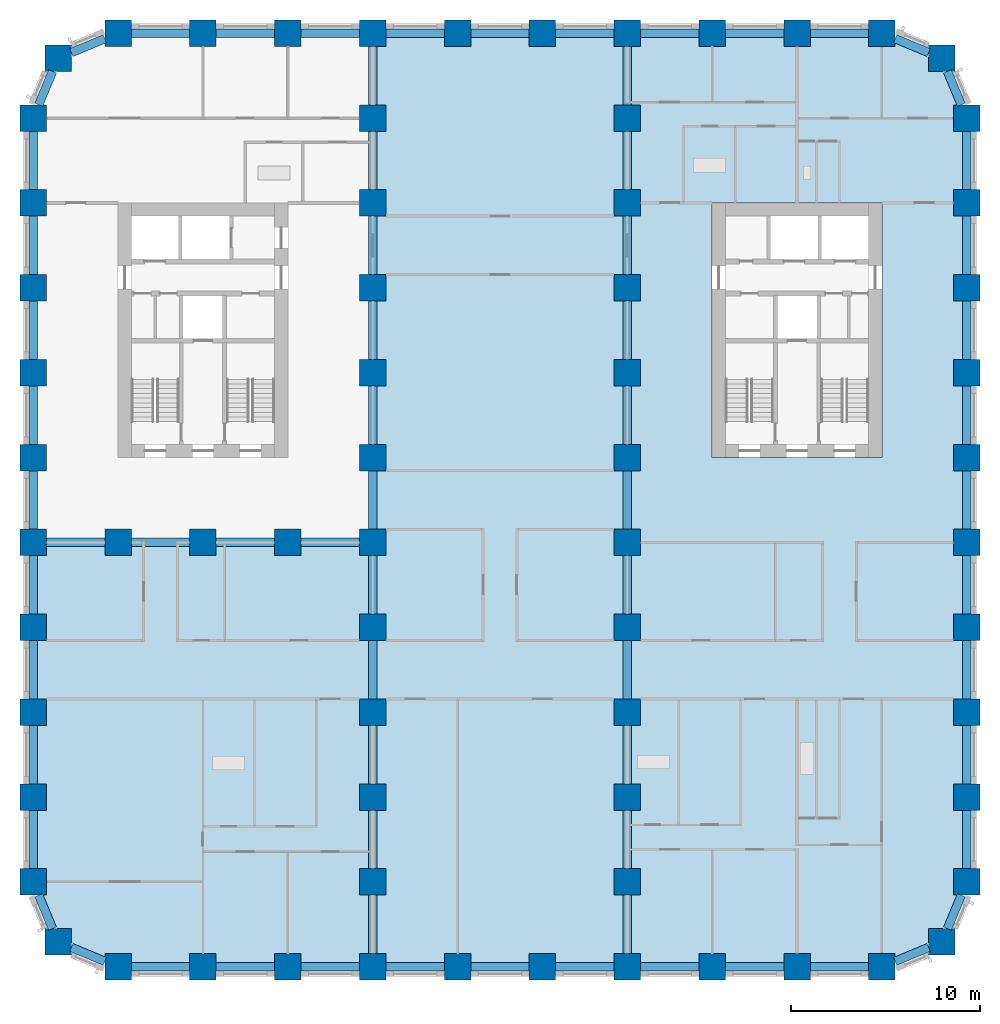
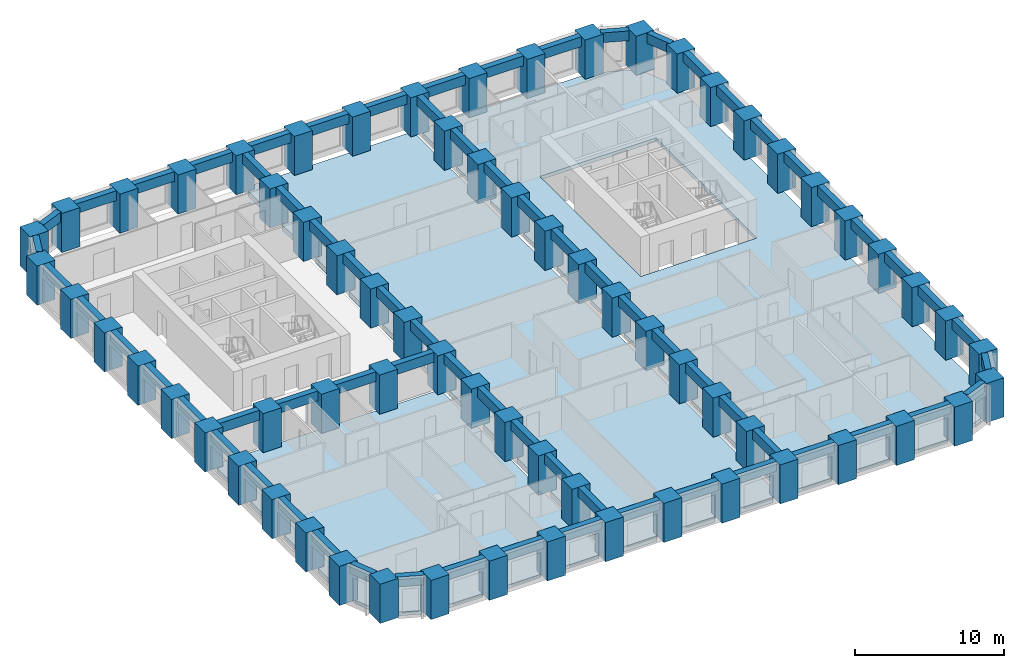
# One storey, part 1 of 12: 70 beams, 67 columns, 3 slabs.
"""IFC4 building model written with IfcOpenShell, lengths in metres."""

from ifc_helpers import new_model, si_unit, direction, frame, origin, origin_2d, place, context, subcontext, project, spatial, polyline, rectangle, outline, extrude, material, layer, layer_set, material_profile, profile_set, type_object, element, save


model = new_model("IFC4")

# Units and contexts
model_context = context("Model", 3, precision=1e-05, world=origin(), true_north=direction((0.0, 1.0)))
body_context = subcontext(model_context, "Body", "Model", "MODEL_VIEW")
ifc_project = project(units=[si_unit("LENGTHUNIT", "METRE"), si_unit("AREAUNIT", "SQUARE_METRE"), si_unit("VOLUMEUNIT", "CUBIC_METRE"), si_unit("PLANEANGLEUNIT", "RADIAN"), si_unit("MASSUNIT", "GRAM", prefix="KILO")], contexts=[model_context])

# Site, building, storey
site_placement = place(None, origin())
site = spatial("IfcSite", under=ifc_project, at=site_placement, CompositionType="ELEMENT")
building_placement = place(site_placement, origin())
building = spatial("IfcBuilding", under=site, at=building_placement, Name="Girih Gate Residences", CompositionType="ELEMENT")
storey_placement = place(building_placement, frame((0.0, 0.0, 68.800048828125)))
storey = spatial("IfcBuildingStorey", under=building, at=storey_placement, Name="L18", CompositionType="ELEMENT", Elevation=68.800048828125)

# Columns
ifc_material_1 = material(Name="Concrete C80/95", Category="concrete")
ifc_material_profile_1 = material_profile(ifc_material_1, rectangle(XDim=1.39990234375, YDim=1.39990234375, at=origin_2d()))
ifc_profile_set_1 = profile_set([ifc_material_profile_1], Name="Concrete C80/95")
column_type = type_object("IfcColumnType", Name="Pier RC 1400x1400 Concrete C80/95", PredefinedType="COLUMN", material=ifc_profile_set_1)
for number, where, z_axis, x_axis, name in (
    (1, (4.5, 0.0, 0.0), (0.0, 0.0, 1.0), (1.0, 0.0, 0.0), "Pier P2A L18"),
    (2, (9.0, 0.0, 0.0), (0.0, 0.0, 1.0), (1.0, 0.0, 0.0), "Pier P3A L18"),
    (3, (13.5, 0.0, 0.0), (0.0, 0.0, 1.0), (1.0, 0.0, 0.0), "Pier P4A L18"),
    (4, (18.0, 0.0, 0.0), (0.0, 0.0, 1.0), (1.0, 0.0, 0.0), "Pier P5A L18"),
    (5, (22.5, 0.0, 0.0), (0.0, 0.0, 1.0), (1.0, 0.0, 0.0), "Pier P6A L18"),
    (6, (27.0, 0.0, 0.0), (0.0, 0.0, 1.0), (1.0, 0.0, 0.0), "Pier P7A L18"),
    (7, (31.5, 0.0, 0.0), (0.0, 0.0, 1.0), (1.0, 0.0, 0.0), "Pier P8A L18"),
    (8, (36.0, 0.0, 0.0), (0.0, 0.0, 1.0), (1.0, 0.0, 0.0), "Pier P9A L18"),
    (9, (40.5, 0.0, 0.0), (0.0, 0.0, 1.0), (1.0, 0.0, 0.0), "Pier P10A L18"),
    (10, (45.0, 0.0, 0.0), (0.0, 0.0, 1.0), (1.0, 0.0, 0.0), "Pier P11A L18"),
    (11, (1.318115234375, 1.318115234375, 0.0), (0.0, 0.0, 1.0), (1.0, 0.0, 0.0), "Pier P1ANE L18"),
    (12, (48.181884765625, 1.318115234375, 0.0), (0.0, 0.0, 1.0), (1.0, 0.0, 0.0), "Pier P12ANW L18"),
    (13, (0.0, 4.5, 0.0), (0.0, 0.0, 1.0), (1.0, 0.0, 0.0), "Pier P1B L18"),
    (14, (18.0, 4.5, 0.0), (0.0, 0.0, 1.0), (1.0, 0.0, 0.0), "Pier P5B L18"),
    (15, (31.5, 4.5, 0.0), (0.0, 0.0, 1.0), (1.0, 0.0, 0.0), "Pier P8B L18"),
    (16, (49.5, 4.5, 0.0), (0.0, 0.0, 1.0), (1.0, 0.0, 0.0), "Pier P12B L18"),
    (17, (0.0, 9.0, 0.0), (0.0, 0.0, 1.0), (1.0, 0.0, 0.0), "Pier P1C L18"),
    (18, (18.0, 9.0, 0.0), (0.0, 0.0, 1.0), (1.0, 0.0, 0.0), "Pier P5C L18"),
    (19, (31.5, 9.0, 0.0), (0.0, 0.0, 1.0), (1.0, 0.0, 0.0), "Pier P8C L18"),
    (20, (49.5, 9.0, 0.0), (0.0, 0.0, 1.0), (1.0, 0.0, 0.0), "Pier P12C L18"),
    (21, (0.0, 13.5, 0.0), (0.0, 0.0, 1.0), (1.0, 0.0, 0.0), "Pier P1D L18"),
    (22, (18.0, 13.5, 0.0), (0.0, 0.0, 1.0), (1.0, 0.0, 0.0), "Pier P5D L18"),
    (23, (31.5, 13.5, 0.0), (0.0, 0.0, 1.0), (1.0, 0.0, 0.0), "Pier P8D L18"),
    (24, (49.5, 13.5, 0.0), (0.0, 0.0, 1.0), (1.0, 0.0, 0.0), "Pier P12D L18"),
    (25, (0.0, 18.0, 0.0), (0.0, 0.0, 1.0), (1.0, 0.0, 0.0), "Pier P1E L18"),
    (26, (18.0, 18.0, 0.0), (0.0, 0.0, 1.0), (1.0, 0.0, 0.0), "Pier P5E L18"),
    (27, (31.5, 18.0, 0.0), (0.0, 0.0, 1.0), (1.0, 0.0, 0.0), "Pier P8E L18"),
    (28, (49.5, 18.0, 0.0), (0.0, 0.0, 1.0), (1.0, 0.0, 0.0), "Pier P12E L18"),
    (29, (0.0, 22.5, 0.0), (0.0, 0.0, 1.0), (1.0, 0.0, 0.0), "Pier P1F L18"),
    (30, (4.5, 22.5, 0.0), (0.0, 0.0, 1.0), (1.0, 0.0, 0.0), "Pier P2F L18"),
    (31, (9.0, 22.5, 0.0), (0.0, 0.0, 1.0), (1.0, 0.0, 0.0), "Pier P3F L18"),
    (32, (13.5, 22.5, 0.0), (0.0, 0.0, 1.0), (1.0, 0.0, 0.0), "Pier P4F L18"),
    (33, (18.0, 22.5, 0.0), (0.0, 0.0, 1.0), (1.0, 0.0, 0.0), "Pier P5F L18"),
    (34, (31.5, 22.5, 0.0), (0.0, 0.0, 1.0), (1.0, 0.0, 0.0), "Pier P8F L18"),
    (35, (49.5, 22.5, 0.0), (0.0, 0.0, 1.0), (1.0, 0.0, 0.0), "Pier P12F L18"),
    (36, (0.0, 27.0, 0.0), (0.0, 0.0, 1.0), (1.0, 0.0, 0.0), "Pier P1G L18"),
    (37, (18.0, 27.0, 0.0), (0.0, 0.0, 1.0), (1.0, 0.0, 0.0), "Pier P5G L18"),
    (38, (31.5, 27.0, 0.0), (0.0, 0.0, 1.0), (1.0, 0.0, 0.0), "Pier P8G L18"),
    (39, (49.5, 27.0, 0.0), (0.0, 0.0, 1.0), (1.0, 0.0, 0.0), "Pier P12G L18"),
    (40, (0.0, 31.5, 0.0), (0.0, 0.0, 1.0), (1.0, 0.0, 0.0), "Pier P1H L18"),
    (41, (18.0, 31.5, 0.0), (0.0, 0.0, 1.0), (1.0, 0.0, 0.0), "Pier P5H L18"),
    (42, (31.5, 31.5, 0.0), (0.0, 0.0, 1.0), (1.0, 0.0, 0.0), "Pier P8H L18"),
    (43, (49.5, 31.5, 0.0), (0.0, 0.0, 1.0), (1.0, 0.0, 0.0), "Pier P12H L18"),
    (44, (0.0, 36.0, 0.0), (0.0, 0.0, 1.0), (1.0, 0.0, 0.0), "Pier P1I L18"),
    (45, (18.0, 36.0, 0.0), (0.0, 0.0, 1.0), (1.0, 0.0, 0.0), "Pier P5I L18"),
    (46, (31.5, 36.0, 0.0), (0.0, 0.0, 1.0), (1.0, 0.0, 0.0), "Pier P8I L18"),
    (47, (49.5, 36.0, 0.0), (0.0, 0.0, 1.0), (1.0, 0.0, 0.0), "Pier P12I L18"),
    (48, (0.0, 40.5, 0.0), (0.0, 0.0, 1.0), (1.0, 0.0, 0.0), "Pier P1J L18"),
    (49, (18.0, 40.5, 0.0), (0.0, 0.0, 1.0), (1.0, 0.0, 0.0), "Pier P5J L18"),
    (50, (31.5, 40.5, 0.0), (0.0, 0.0, 1.0), (1.0, 0.0, 0.0), "Pier P8J L18"),
    (51, (49.5, 40.5, 0.0), (0.0, 0.0, 1.0), (1.0, 0.0, 0.0), "Pier P12J L18"),
    (52, (0.0, 45.0, 0.0), (0.0, 0.0, 1.0), (1.0, 0.0, 0.0), "Pier P1K L18"),
    (53, (18.0, 45.0, 0.0), (0.0, 0.0, 1.0), (1.0, 0.0, 0.0), "Pier P5K L18"),
    (54, (31.5, 45.0, 0.0), (0.0, 0.0, 1.0), (1.0, 0.0, 0.0), "Pier P8K L18"),
    (55, (49.5, 45.0, 0.0), (0.0, 0.0, 1.0), (1.0, 0.0, 0.0), "Pier P12K L18"),
    (56, (1.318115234375, 48.181884765625, 0.0), (0.0, 0.0, 1.0), (1.0, 0.0, 0.0), "Pier P1LSE L18"),
    (57, (48.181884765625, 48.181884765625, 0.0), (0.0, 0.0, 1.0), (1.0, 0.0, 0.0), "Pier P12LSW L18"),
    (58, (4.5, 49.5, 0.0), (0.0, 0.0, 1.0), (1.0, 0.0, 0.0), "Pier P2L L18"),
    (59, (9.0, 49.5, 0.0), (0.0, 0.0, 1.0), (1.0, 0.0, 0.0), "Pier P3L L18"),
    (60, (13.5, 49.5, 0.0), (0.0, 0.0, 1.0), (1.0, 0.0, 0.0), "Pier P4L L18"),
    (61, (18.0, 49.5, 0.0), (0.0, 0.0, 1.0), (1.0, 0.0, 0.0), "Pier P5L L18"),
    (62, (22.5, 49.5, 0.0), (0.0, 0.0, 1.0), (1.0, 0.0, 0.0), "Pier P6L L18"),
    (63, (27.0, 49.5, 0.0), (0.0, 0.0, 1.0), (1.0, 0.0, 0.0), "Pier P7L L18"),
    (64, (31.5, 49.5, 0.0), (0.0, 0.0, 1.0), (1.0, 0.0, 0.0), "Pier P8L L18"),
    (65, (36.0, 49.5, 0.0), (0.0, 0.0, 1.0), (1.0, 0.0, 0.0), "Pier P9L L18"),
    (66, (40.5, 49.5, 0.0), (0.0, 0.0, 1.0), (1.0, 0.0, 0.0), "Pier P10L L18"),
    (67, (45.0, 49.5, 0.0), (0.0, 0.0, 1.0), (1.0, 0.0, 0.0), "Pier P11L L18"),
):
    element("IfcColumn", number, at=place(storey_placement, frame(where, z_axis=z_axis, x_axis=x_axis)), inside=storey, type_object=column_type, Name=name, PredefinedType="COLUMN", context=body_context, shape_type="SweptSolid", body=[
        extrude(rectangle(XDim=1.39990234375, YDim=1.39990234375, at=origin_2d()), origin(), (0.0, 0.0, 1.0), 3.199951171875),
    ])

# Beams
ifc_material_2 = material(Name="Concrete C60/75", Category="concrete")
ifc_material_profile_2 = material_profile(ifc_material_2, rectangle(XDim=0.449951171875, YDim=0.800048828125, at=origin_2d()))
ifc_profile_set_2 = profile_set([ifc_material_profile_2], Name="Concrete C60/75")
beam_type = type_object("IfcBeamType", Name="Spandrel girder RC 450x800 Concrete C60/75", PredefinedType="BEAM", material=ifc_profile_set_2)
for number, where, z_axis, x_axis, name in (
    (68, (0.2900390625, 3.800048828125, 2.800048828125), (0.382646180293, -0.923894961945, 0.0), (0.923894961945, 0.382646180293, 0.0), "Spandrel girder SP-P1B-P1ANE L18"),
    (69, (2.01806640625, 1.028076171875, 2.800048828125), (0.923894961945, -0.382646180293, 0.0), (0.382646180293, 0.923894961945, 0.0), "Spandrel girder SP-P1ANE-P2A L18"),
):
    element("IfcBeam", number, at=place(storey_placement, frame(where, z_axis=z_axis, x_axis=x_axis)), inside=storey, type_object=beam_type, Name=name, PredefinedType="BEAM", context=body_context, shape_type="SweptSolid", body=[
        extrude(rectangle(XDim=0.449951171875, YDim=0.800048828125, at=origin_2d()), origin(), (0.0, 0.0, 1.0), 1.9287109375),
    ])
for number, where, z_axis, x_axis, name in (
    (70, (5.199951171875, 0.0, 2.800048828125), (1.0, 0.0, 0.0), (0.0, 1.0, 0.0), "Spandrel girder SP-P2A-P3A L18"),
    (71, (9.699951171875, 0.0, 2.800048828125), (1.0, 0.0, 0.0), (0.0, 1.0, 0.0), "Spandrel girder SP-P3A-P4A L18"),
    (72, (14.199951171875, 0.0, 2.800048828125), (1.0, 0.0, 0.0), (0.0, 1.0, 0.0), "Spandrel girder SP-P4A-P5A L18"),
    (73, (18.699951171875, 0.0, 2.800048828125), (1.0, 0.0, 0.0), (0.0, 1.0, 0.0), "Spandrel girder SP-P5A-P6A L18"),
    (74, (23.199951171875, 0.0, 2.800048828125), (1.0, 0.0, 0.0), (0.0, 1.0, 0.0), "Spandrel girder SP-P6A-P7A L18"),
    (75, (27.699951171875, 0.0, 2.800048828125), (1.0, 0.0, 0.0), (0.0, 1.0, 0.0), "Spandrel girder SP-P7A-P8A L18"),
    (76, (32.199951171875, 0.0, 2.800048828125), (1.0, 0.0, 0.0), (0.0, 1.0, 0.0), "Spandrel girder SP-P8A-P9A L18"),
    (77, (36.699951171875, 0.0, 2.800048828125), (1.0, 0.0, 0.0), (0.0, 1.0, 0.0), "Spandrel girder SP-P9A-P10A L18"),
    (78, (41.199951171875, 0.0, 2.800048828125), (1.0, 0.0, 0.0), (0.0, 1.0, 0.0), "Spandrel girder SP-P10A-P11A L18"),
):
    element("IfcBeam", number, at=place(storey_placement, frame(where, z_axis=z_axis, x_axis=x_axis)), inside=storey, type_object=beam_type, Name=name, PredefinedType="BEAM", context=body_context, shape_type="SweptSolid", body=[
        extrude(rectangle(XDim=0.449951171875, YDim=0.800048828125, at=origin_2d()), origin(), (0.0, 0.0, 1.0), 3.10009765625),
    ])
for number, where, z_axis, x_axis, name in (
    (79, (45.699951171875, 0.2900390625, 2.800048828125), (0.923894961945, 0.382646180293, 0.0), (-0.382646180293, 0.923894961945, 0.0), "Spandrel girder SP-P11A-P12ANW L18"),
    (80, (48.471923828125, 2.01806640625, 2.800048828125), (0.382646180293, 0.923894961945, 0.0), (-0.923894961945, 0.382646180293, 0.0), "Spandrel girder SP-P12ANW-P12B L18"),
):
    element("IfcBeam", number, at=place(storey_placement, frame(where, z_axis=z_axis, x_axis=x_axis)), inside=storey, type_object=beam_type, Name=name, PredefinedType="BEAM", context=body_context, shape_type="SweptSolid", body=[
        extrude(rectangle(XDim=0.449951171875, YDim=0.800048828125, at=origin_2d()), origin(), (0.0, 0.0, 1.0), 1.9287109375),
    ])
for number, where, z_axis, x_axis, name in (
    (81, (49.5, 5.199951171875, 2.800048828125), (0.0, 1.0, 0.0), (-1.0, 0.0, 0.0), "Spandrel girder SP-P12B-P12C L18"),
    (82, (49.5, 9.699951171875, 2.800048828125), (0.0, 1.0, 0.0), (-1.0, 0.0, 0.0), "Spandrel girder SP-P12C-P12D L18"),
    (83, (49.5, 14.199951171875, 2.800048828125), (0.0, 1.0, 0.0), (-1.0, 0.0, 0.0), "Spandrel girder SP-P12D-P12E L18"),
    (84, (49.5, 18.699951171875, 2.800048828125), (0.0, 1.0, 0.0), (-1.0, 0.0, 0.0), "Spandrel girder SP-P12E-P12F L18"),
    (85, (49.5, 23.199951171875, 2.800048828125), (0.0, 1.0, 0.0), (-1.0, 0.0, 0.0), "Spandrel girder SP-P12F-P12G L18"),
    (86, (49.5, 27.699951171875, 2.800048828125), (0.0, 1.0, 0.0), (-1.0, 0.0, 0.0), "Spandrel girder SP-P12G-P12H L18"),
    (87, (49.5, 32.199951171875, 2.800048828125), (0.0, 1.0, 0.0), (-1.0, 0.0, 0.0), "Spandrel girder SP-P12H-P12I L18"),
    (88, (49.5, 36.699951171875, 2.800048828125), (0.0, 1.0, 0.0), (-1.0, 0.0, 0.0), "Spandrel girder SP-P12I-P12J L18"),
    (89, (49.5, 41.199951171875, 2.800048828125), (0.0, 1.0, 0.0), (-1.0, 0.0, 0.0), "Spandrel girder SP-P12J-P12K L18"),
):
    element("IfcBeam", number, at=place(storey_placement, frame(where, z_axis=z_axis, x_axis=x_axis)), inside=storey, type_object=beam_type, Name=name, PredefinedType="BEAM", context=body_context, shape_type="SweptSolid", body=[
        extrude(rectangle(XDim=0.449951171875, YDim=0.800048828125, at=origin_2d()), origin(), (0.0, 0.0, 1.0), 3.10009765625),
    ])
for number, where, z_axis, x_axis, name in (
    (90, (49.2099609375, 45.699951171875, 2.800048828125), (-0.382646180293, 0.923894961945, 0.0), (-0.923894961945, -0.382646180293, 0.0), "Spandrel girder SP-P12K-P12LSW L18"),
    (91, (47.48193359375, 48.471923828125, 2.800048828125), (-0.923894961945, 0.382646180293, 0.0), (-0.382646180293, -0.923894961945, 0.0), "Spandrel girder SP-P12LSW-P11L L18"),
):
    element("IfcBeam", number, at=place(storey_placement, frame(where, z_axis=z_axis, x_axis=x_axis)), inside=storey, type_object=beam_type, Name=name, PredefinedType="BEAM", context=body_context, shape_type="SweptSolid", body=[
        extrude(rectangle(XDim=0.449951171875, YDim=0.800048828125, at=origin_2d()), origin(), (0.0, 0.0, 1.0), 1.9287109375),
    ])
for number, where, z_axis, x_axis, name in (
    (92, (44.300048828125, 49.5, 2.800048828125), (-1.0, 0.0, 0.0), (0.0, -1.0, 0.0), "Spandrel girder SP-P11L-P10L L18"),
    (93, (39.800048828125, 49.5, 2.800048828125), (-1.0, 0.0, 0.0), (0.0, -1.0, 0.0), "Spandrel girder SP-P10L-P9L L18"),
    (94, (35.300048828125, 49.5, 2.800048828125), (-1.0, 0.0, 0.0), (0.0, -1.0, 0.0), "Spandrel girder SP-P9L-P8L L18"),
    (95, (30.800048828125, 49.5, 2.800048828125), (-1.0, 0.0, 0.0), (0.0, -1.0, 0.0), "Spandrel girder SP-P8L-P7L L18"),
    (96, (26.300048828125, 49.5, 2.800048828125), (-1.0, 0.0, 0.0), (0.0, -1.0, 0.0), "Spandrel girder SP-P7L-P6L L18"),
    (97, (21.800048828125, 49.5, 2.800048828125), (-1.0, 0.0, 0.0), (0.0, -1.0, 0.0), "Spandrel girder SP-P6L-P5L L18"),
    (98, (17.300048828125, 49.5, 2.800048828125), (-1.0, 0.0, 0.0), (0.0, -1.0, 0.0), "Spandrel girder SP-P5L-P4L L18"),
    (99, (12.800048828125, 49.5, 2.800048828125), (-1.0, 0.0, 0.0), (0.0, -1.0, 0.0), "Spandrel girder SP-P4L-P3L L18"),
    (100, (8.300048828125, 49.5, 2.800048828125), (-1.0, 0.0, 0.0), (0.0, -1.0, 0.0), "Spandrel girder SP-P3L-P2L L18"),
):
    element("IfcBeam", number, at=place(storey_placement, frame(where, z_axis=z_axis, x_axis=x_axis)), inside=storey, type_object=beam_type, Name=name, PredefinedType="BEAM", context=body_context, shape_type="SweptSolid", body=[
        extrude(rectangle(XDim=0.449951171875, YDim=0.800048828125, at=origin_2d()), origin(), (0.0, 0.0, 1.0), 3.10009765625),
    ])
for number, where, z_axis, x_axis, name in (
    (101, (3.800048828125, 49.2099609375, 2.800048828125), (-0.923894961945, -0.382646180293, 0.0), (0.382646180293, -0.923894961945, 0.0), "Spandrel girder SP-P2L-P1LSE L18"),
    (102, (1.028076171875, 47.48193359375, 2.800048828125), (-0.382646180293, -0.923894961945, 0.0), (0.923894961945, -0.382646180293, 0.0), "Spandrel girder SP-P1LSE-P1K L18"),
):
    element("IfcBeam", number, at=place(storey_placement, frame(where, z_axis=z_axis, x_axis=x_axis)), inside=storey, type_object=beam_type, Name=name, PredefinedType="BEAM", context=body_context, shape_type="SweptSolid", body=[
        extrude(rectangle(XDim=0.449951171875, YDim=0.800048828125, at=origin_2d()), origin(), (0.0, 0.0, 1.0), 1.9287109375),
    ])
for number, where, z_axis, x_axis, name in (
    (103, (0.0, 44.300048828125, 2.800048828125), (0.0, -1.0, 0.0), (1.0, 0.0, 0.0), "Spandrel girder SP-P1K-P1J L18"),
    (104, (0.0, 39.800048828125, 2.800048828125), (0.0, -1.0, 0.0), (1.0, 0.0, 0.0), "Spandrel girder SP-P1J-P1I L18"),
    (105, (0.0, 35.300048828125, 2.800048828125), (0.0, -1.0, 0.0), (1.0, 0.0, 0.0), "Spandrel girder SP-P1I-P1H L18"),
    (106, (0.0, 30.800048828125, 2.800048828125), (0.0, -1.0, 0.0), (1.0, 0.0, 0.0), "Spandrel girder SP-P1H-P1G L18"),
    (107, (0.0, 26.300048828125, 2.800048828125), (0.0, -1.0, 0.0), (1.0, 0.0, 0.0), "Spandrel girder SP-P1G-P1F L18"),
    (108, (0.0, 21.800048828125, 2.800048828125), (0.0, -1.0, 0.0), (1.0, 0.0, 0.0), "Spandrel girder SP-P1F-P1E L18"),
    (109, (0.0, 17.300048828125, 2.800048828125), (0.0, -1.0, 0.0), (1.0, 0.0, 0.0), "Spandrel girder SP-P1E-P1D L18"),
    (110, (0.0, 12.800048828125, 2.800048828125), (0.0, -1.0, 0.0), (1.0, 0.0, 0.0), "Spandrel girder SP-P1D-P1C L18"),
    (111, (0.0, 8.300048828125, 2.800048828125), (0.0, -1.0, 0.0), (1.0, 0.0, 0.0), "Spandrel girder SP-P1C-P1B L18"),
    (112, (18.0, 0.699951171875, 2.800048828125), (0.0, 1.0, 0.0), (-1.0, 0.0, 0.0), "Spandrel girder SP-P5A-P5B L18"),
    (113, (18.0, 5.199951171875, 2.800048828125), (0.0, 1.0, 0.0), (-1.0, 0.0, 0.0), "Spandrel girder SP-P5B-P5C L18"),
    (114, (18.0, 9.699951171875, 2.800048828125), (0.0, 1.0, 0.0), (-1.0, 0.0, 0.0), "Spandrel girder SP-P5C-P5D L18"),
    (115, (18.0, 14.199951171875, 2.800048828125), (0.0, 1.0, 0.0), (-1.0, 0.0, 0.0), "Spandrel girder SP-P5D-P5E L18"),
    (116, (18.0, 18.699951171875, 2.800048828125), (0.0, 1.0, 0.0), (-1.0, 0.0, 0.0), "Spandrel girder SP-P5E-P5F L18"),
    (117, (18.0, 23.199951171875, 2.800048828125), (0.0, 1.0, 0.0), (-1.0, 0.0, 0.0), "Spandrel girder SP-P5F-P5G L18"),
    (118, (18.0, 27.699951171875, 2.800048828125), (0.0, 1.0, 0.0), (-1.0, 0.0, 0.0), "Spandrel girder SP-P5G-P5H L18"),
    (119, (18.0, 32.199951171875, 2.800048828125), (0.0, 1.0, 0.0), (-1.0, 0.0, 0.0), "Spandrel girder SP-P5H-P5I L18"),
    (120, (18.0, 36.699951171875, 2.800048828125), (0.0, 1.0, 0.0), (-1.0, 0.0, 0.0), "Spandrel girder SP-P5I-P5J L18"),
    (121, (18.0, 41.199951171875, 2.800048828125), (0.0, 1.0, 0.0), (-1.0, 0.0, 0.0), "Spandrel girder SP-P5J-P5K L18"),
    (122, (18.0, 45.699951171875, 2.800048828125), (0.0, 1.0, 0.0), (-1.0, 0.0, 0.0), "Spandrel girder SP-P5K-P5L L18"),
    (123, (31.5, 0.699951171875, 2.800048828125), (0.0, 1.0, 0.0), (-1.0, 0.0, 0.0), "Spandrel girder SP-P8A-P8B L18"),
    (124, (31.5, 5.199951171875, 2.800048828125), (0.0, 1.0, 0.0), (-1.0, 0.0, 0.0), "Spandrel girder SP-P8B-P8C L18"),
    (125, (31.5, 9.699951171875, 2.800048828125), (0.0, 1.0, 0.0), (-1.0, 0.0, 0.0), "Spandrel girder SP-P8C-P8D L18"),
    (126, (31.5, 14.199951171875, 2.800048828125), (0.0, 1.0, 0.0), (-1.0, 0.0, 0.0), "Spandrel girder SP-P8D-P8E L18"),
    (127, (31.5, 18.699951171875, 2.800048828125), (0.0, 1.0, 0.0), (-1.0, 0.0, 0.0), "Spandrel girder SP-P8E-P8F L18"),
    (128, (31.5, 23.199951171875, 2.800048828125), (0.0, 1.0, 0.0), (-1.0, 0.0, 0.0), "Spandrel girder SP-P8F-P8G L18"),
    (129, (31.5, 27.699951171875, 2.800048828125), (0.0, 1.0, 0.0), (-1.0, 0.0, 0.0), "Spandrel girder SP-P8G-P8H L18"),
    (130, (31.5, 32.199951171875, 2.800048828125), (0.0, 1.0, 0.0), (-1.0, 0.0, 0.0), "Spandrel girder SP-P8H-P8I L18"),
    (131, (31.5, 36.699951171875, 2.800048828125), (0.0, 1.0, 0.0), (-1.0, 0.0, 0.0), "Spandrel girder SP-P8I-P8J L18"),
    (132, (31.5, 41.199951171875, 2.800048828125), (0.0, 1.0, 0.0), (-1.0, 0.0, 0.0), "Spandrel girder SP-P8J-P8K L18"),
    (133, (31.5, 45.699951171875, 2.800048828125), (0.0, 1.0, 0.0), (-1.0, 0.0, 0.0), "Spandrel girder SP-P8K-P8L L18"),
    (134, (0.699951171875, 22.5, 2.800048828125), (1.0, 0.0, 0.0), (0.0, 1.0, 0.0), "Spandrel girder SP-P1F-P2F L18"),
    (135, (5.199951171875, 22.5, 2.800048828125), (1.0, 0.0, 0.0), (0.0, 1.0, 0.0), "Spandrel girder SP-P2F-P3F L18"),
    (136, (9.699951171875, 22.5, 2.800048828125), (1.0, 0.0, 0.0), (0.0, 1.0, 0.0), "Spandrel girder SP-P3F-P4F L18"),
    (137, (14.199951171875, 22.5, 2.800048828125), (1.0, 0.0, 0.0), (0.0, 1.0, 0.0), "Spandrel girder SP-P4F-P5F L18"),
):
    element("IfcBeam", number, at=place(storey_placement, frame(where, z_axis=z_axis, x_axis=x_axis)), inside=storey, type_object=beam_type, Name=name, PredefinedType="BEAM", context=body_context, shape_type="SweptSolid", body=[
        extrude(rectangle(XDim=0.449951171875, YDim=0.800048828125, at=origin_2d()), origin(), (0.0, 0.0, 1.0), 3.10009765625),
    ])

# Slabs
ifc_material_3 = material(Name="Concrete C40/50", Category="concrete")
ifc_layer_1 = layer(ifc_material_3, 0.300048828125)
ifc_layer_set_1 = layer_set([ifc_layer_1], Name="Floor slab PT 300 Concrete C40/50")
slab_type_1 = type_object("IfcSlabType", Name="Floor slab PT 300 Concrete C40/50", PredefinedType="FLOOR", material=ifc_layer_set_1)
slab_1_placement = place(storey_placement, frame((0.0, 0.0, -0.300048828125)))
element("IfcSlab", 138, at=slab_1_placement, inside=storey, type_object=slab_type_1, Name="Floor slab L18 0", PredefinedType="FLOOR", context=body_context, shape_type="SweptSolid", body=[
    extrude(outline(polyline([(0.22509765625, 8.300048828125), (0.22509765625, 5.199951171875), (0.699951171875, 5.199951171875), (0.699951171875, 3.800048828125), (0.533447265625, 3.800048828125), (1.271728515625, 2.01806640625), (2.01806640625, 2.01806640625), (2.01806640625, 1.271728515625), (3.800048828125, 0.533447265625), (3.800048828125, 0.699951171875), (5.199951171875, 0.699951171875), (5.199951171875, 0.22509765625), (8.300048828125, 0.22509765625), (8.300048828125, 0.699951171875), (9.699951171875, 0.699951171875), (9.699951171875, 0.22509765625), (12.800048828125, 0.22509765625), (12.800048828125, 0.699951171875), (14.199951171875, 0.699951171875), (14.199951171875, 0.22509765625), (17.300048828125, 0.22509765625), (17.300048828125, 0.699951171875), (17.77490234375, 0.699951171875), (17.77490234375, 3.800048828125), (17.300048828125, 3.800048828125), (17.300048828125, 5.199951171875), (17.77490234375, 5.199951171875), (17.77490234375, 8.300048828125), (17.300048828125, 8.300048828125), (17.300048828125, 9.699951171875), (17.77490234375, 9.699951171875), (17.77490234375, 12.800048828125), (17.300048828125, 12.800048828125), (17.300048828125, 14.199951171875), (17.77490234375, 14.199951171875), (17.77490234375, 17.300048828125), (17.300048828125, 17.300048828125), (17.300048828125, 18.699951171875), (17.77490234375, 18.699951171875), (17.77490234375, 21.800048828125), (17.300048828125, 21.800048828125), (17.300048828125, 22.27490234375), (14.199951171875, 22.27490234375), (14.199951171875, 21.800048828125), (12.800048828125, 21.800048828125), (12.800048828125, 22.27490234375), (9.699951171875, 22.27490234375), (9.699951171875, 21.800048828125), (8.300048828125, 21.800048828125), (8.300048828125, 22.27490234375), (5.199951171875, 22.27490234375), (5.199951171875, 21.800048828125), (3.800048828125, 21.800048828125), (3.800048828125, 22.27490234375), (0.699951171875, 22.27490234375), (0.699951171875, 21.800048828125), (0.22509765625, 21.800048828125), (0.22509765625, 18.699951171875), (0.699951171875, 18.699951171875), (0.699951171875, 17.300048828125), (0.22509765625, 17.300048828125), (0.22509765625, 14.199951171875), (0.699951171875, 14.199951171875), (0.699951171875, 12.800048828125), (0.22509765625, 12.800048828125), (0.22509765625, 9.699951171875), (0.699951171875, 9.699951171875), (0.699951171875, 8.300048828125), (0.22509765625, 8.300048828125)])), origin(), (0.0, 0.0, 1.0), 0.300048828125),
])
slab_2_placement = place(storey_placement, frame((0.0, 0.0, -0.300048828125)))
element("IfcSlab", 139, at=slab_2_placement, inside=storey, type_object=slab_type_1, Name="Floor slab L18 1", PredefinedType="FLOOR", context=body_context, shape_type="SweptSolid", body=[
    extrude(outline(polyline([(35.300048828125, 49.27490234375), (32.199951171875, 49.27490234375), (32.199951171875, 48.800048828125), (31.72509765625, 48.800048828125), (31.72509765625, 45.699951171875), (32.199951171875, 45.699951171875), (32.199951171875, 44.300048828125), (31.72509765625, 44.300048828125), (31.72509765625, 41.199951171875), (32.199951171875, 41.199951171875), (32.199951171875, 39.800048828125), (31.72509765625, 39.800048828125), (31.72509765625, 36.699951171875), (32.199951171875, 36.699951171875), (32.199951171875, 35.300048828125), (31.72509765625, 35.300048828125), (31.72509765625, 32.199951171875), (32.199951171875, 32.199951171875), (32.199951171875, 30.800048828125), (31.72509765625, 30.800048828125), (31.72509765625, 27.699951171875), (32.199951171875, 27.699951171875), (32.199951171875, 26.300048828125), (31.72509765625, 26.300048828125), (31.72509765625, 23.199951171875), (32.199951171875, 23.199951171875), (32.199951171875, 21.800048828125), (31.72509765625, 21.800048828125), (31.72509765625, 18.699951171875), (32.199951171875, 18.699951171875), (32.199951171875, 17.300048828125), (31.72509765625, 17.300048828125), (31.72509765625, 14.199951171875), (32.199951171875, 14.199951171875), (32.199951171875, 12.800048828125), (31.72509765625, 12.800048828125), (31.72509765625, 9.699951171875), (32.199951171875, 9.699951171875), (32.199951171875, 8.300048828125), (31.72509765625, 8.300048828125), (31.72509765625, 5.199951171875), (32.199951171875, 5.199951171875), (32.199951171875, 3.800048828125), (31.72509765625, 3.800048828125), (31.72509765625, 0.699951171875), (32.199951171875, 0.699951171875), (32.199951171875, 0.22509765625), (35.300048828125, 0.22509765625), (35.300048828125, 0.699951171875), (36.699951171875, 0.699951171875), (36.699951171875, 0.22509765625), (39.800048828125, 0.22509765625), (39.800048828125, 0.699951171875), (41.199951171875, 0.699951171875), (41.199951171875, 0.22509765625), (44.300048828125, 0.22509765625), (44.300048828125, 0.699951171875), (45.699951171875, 0.699951171875), (45.699951171875, 0.533447265625), (47.48193359375, 1.271728515625), (47.48193359375, 2.01806640625), (48.228271484375, 2.01806640625), (48.966552734375, 3.800048828125), (48.800048828125, 3.800048828125), (48.800048828125, 5.199951171875), (49.27490234375, 5.199951171875), (49.27490234375, 8.300048828125), (48.800048828125, 8.300048828125), (48.800048828125, 9.699951171875), (49.27490234375, 9.699951171875), (49.27490234375, 12.800048828125), (48.800048828125, 12.800048828125), (48.800048828125, 14.199951171875), (49.27490234375, 14.199951171875), (49.27490234375, 17.300048828125), (48.800048828125, 17.300048828125), (48.800048828125, 18.699951171875), (49.27490234375, 18.699951171875), (49.27490234375, 21.800048828125), (48.800048828125, 21.800048828125), (48.800048828125, 23.199951171875), (49.27490234375, 23.199951171875), (49.27490234375, 26.300048828125), (48.800048828125, 26.300048828125), (48.800048828125, 27.699951171875), (49.27490234375, 27.699951171875), (49.27490234375, 30.800048828125), (48.800048828125, 30.800048828125), (48.800048828125, 32.199951171875), (49.27490234375, 32.199951171875), (49.27490234375, 35.300048828125), (48.800048828125, 35.300048828125), (48.800048828125, 36.699951171875), (49.27490234375, 36.699951171875), (49.27490234375, 39.800048828125), (48.800048828125, 39.800048828125), (48.800048828125, 41.199951171875), (49.27490234375, 41.199951171875), (49.27490234375, 44.300048828125), (48.800048828125, 44.300048828125), (48.800048828125, 45.699951171875), (48.966552734375, 45.699951171875), (48.228271484375, 47.48193359375), (47.48193359375, 47.48193359375), (47.48193359375, 48.228271484375), (45.699951171875, 48.966552734375), (45.699951171875, 48.800048828125), (44.300048828125, 48.800048828125), (44.300048828125, 49.27490234375), (41.199951171875, 49.27490234375), (41.199951171875, 48.800048828125), (39.800048828125, 48.800048828125), (39.800048828125, 49.27490234375), (36.699951171875, 49.27490234375), (36.699951171875, 48.800048828125), (35.300048828125, 48.800048828125), (35.300048828125, 49.27490234375)]), holes=[polyline([(45.0, 40.5), (45.0, 27.0), (36.0, 27.0), (36.0, 40.5), (45.0, 40.5)])]), origin(), (0.0, 0.0, 1.0), 0.300048828125),
])
ifc_layer_2 = layer(ifc_material_3, 0.449951171875)
ifc_layer_set_2 = layer_set([ifc_layer_2], Name="Floor slab PT 450 Concrete C40/50")
slab_type_2 = type_object("IfcSlabType", Name="Floor slab PT 450 Concrete C40/50", PredefinedType="FLOOR", material=ifc_layer_set_2)
slab_3_placement = place(storey_placement, frame((0.0, 0.0, -0.449951171875)))
element("IfcSlab", 140, at=slab_3_placement, inside=storey, type_object=slab_type_2, Name="Floor slab L18 2", PredefinedType="FLOOR", context=body_context, shape_type="SweptSolid", body=[
    extrude(outline(polyline([(21.800048828125, 49.27490234375), (18.699951171875, 49.27490234375), (18.699951171875, 48.800048828125), (18.22509765625, 48.800048828125), (18.22509765625, 45.699951171875), (18.699951171875, 45.699951171875), (18.699951171875, 44.300048828125), (18.22509765625, 44.300048828125), (18.22509765625, 41.199951171875), (18.699951171875, 41.199951171875), (18.699951171875, 39.800048828125), (18.22509765625, 39.800048828125), (18.22509765625, 36.699951171875), (18.699951171875, 36.699951171875), (18.699951171875, 35.300048828125), (18.22509765625, 35.300048828125), (18.22509765625, 32.199951171875), (18.699951171875, 32.199951171875), (18.699951171875, 30.800048828125), (18.22509765625, 30.800048828125), (18.22509765625, 27.699951171875), (18.699951171875, 27.699951171875), (18.699951171875, 26.300048828125), (18.22509765625, 26.300048828125), (18.22509765625, 23.199951171875), (18.699951171875, 23.199951171875), (18.699951171875, 21.800048828125), (18.22509765625, 21.800048828125), (18.22509765625, 18.699951171875), (18.699951171875, 18.699951171875), (18.699951171875, 17.300048828125), (18.22509765625, 17.300048828125), (18.22509765625, 14.199951171875), (18.699951171875, 14.199951171875), (18.699951171875, 12.800048828125), (18.22509765625, 12.800048828125), (18.22509765625, 9.699951171875), (18.699951171875, 9.699951171875), (18.699951171875, 8.300048828125), (18.22509765625, 8.300048828125), (18.22509765625, 5.199951171875), (18.699951171875, 5.199951171875), (18.699951171875, 3.800048828125), (18.22509765625, 3.800048828125), (18.22509765625, 0.699951171875), (18.699951171875, 0.699951171875), (18.699951171875, 0.22509765625), (21.800048828125, 0.22509765625), (21.800048828125, 0.699951171875), (23.199951171875, 0.699951171875), (23.199951171875, 0.22509765625), (26.300048828125, 0.22509765625), (26.300048828125, 0.699951171875), (27.699951171875, 0.699951171875), (27.699951171875, 0.22509765625), (30.800048828125, 0.22509765625), (30.800048828125, 0.699951171875), (31.27490234375, 0.699951171875), (31.27490234375, 3.800048828125), (30.800048828125, 3.800048828125), (30.800048828125, 5.199951171875), (31.27490234375, 5.199951171875), (31.27490234375, 8.300048828125), (30.800048828125, 8.300048828125), (30.800048828125, 9.699951171875), (31.27490234375, 9.699951171875), (31.27490234375, 12.800048828125), (30.800048828125, 12.800048828125), (30.800048828125, 14.199951171875), (31.27490234375, 14.199951171875), (31.27490234375, 17.300048828125), (30.800048828125, 17.300048828125), (30.800048828125, 18.699951171875), (31.27490234375, 18.699951171875), (31.27490234375, 21.800048828125), (30.800048828125, 21.800048828125), (30.800048828125, 23.199951171875), (31.27490234375, 23.199951171875), (31.27490234375, 26.300048828125), (30.800048828125, 26.300048828125), (30.800048828125, 27.699951171875), (31.27490234375, 27.699951171875), (31.27490234375, 30.800048828125), (30.800048828125, 30.800048828125), (30.800048828125, 32.199951171875), (31.27490234375, 32.199951171875), (31.27490234375, 35.300048828125), (30.800048828125, 35.300048828125), (30.800048828125, 36.699951171875), (31.27490234375, 36.699951171875), (31.27490234375, 39.800048828125), (30.800048828125, 39.800048828125), (30.800048828125, 41.199951171875), (31.27490234375, 41.199951171875), (31.27490234375, 44.300048828125), (30.800048828125, 44.300048828125), (30.800048828125, 45.699951171875), (31.27490234375, 45.699951171875), (31.27490234375, 48.800048828125), (30.800048828125, 48.800048828125), (30.800048828125, 49.27490234375), (27.699951171875, 49.27490234375), (27.699951171875, 48.800048828125), (26.300048828125, 48.800048828125), (26.300048828125, 49.27490234375), (23.199951171875, 49.27490234375), (23.199951171875, 48.800048828125), (21.800048828125, 48.800048828125), (21.800048828125, 49.27490234375)])), origin(), (0.0, 0.0, 1.0), 0.449951171875),
])

save(model, "model.ifc")
